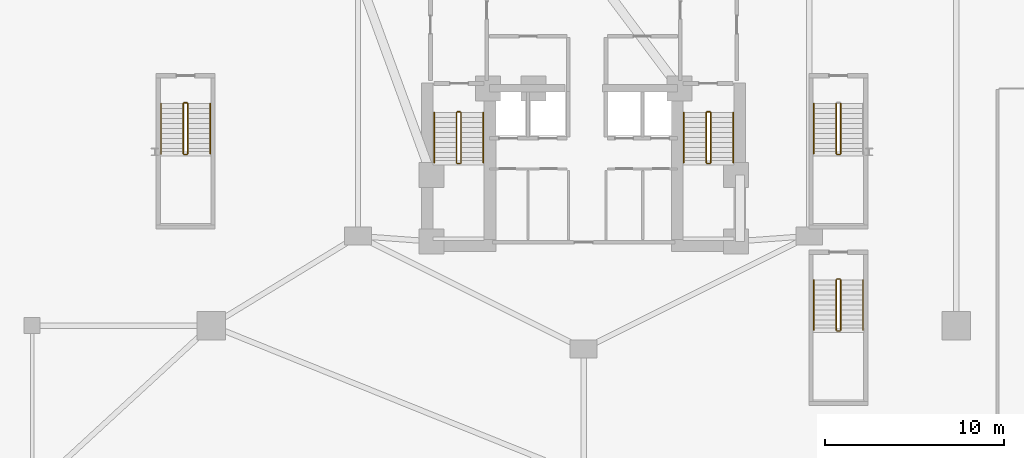
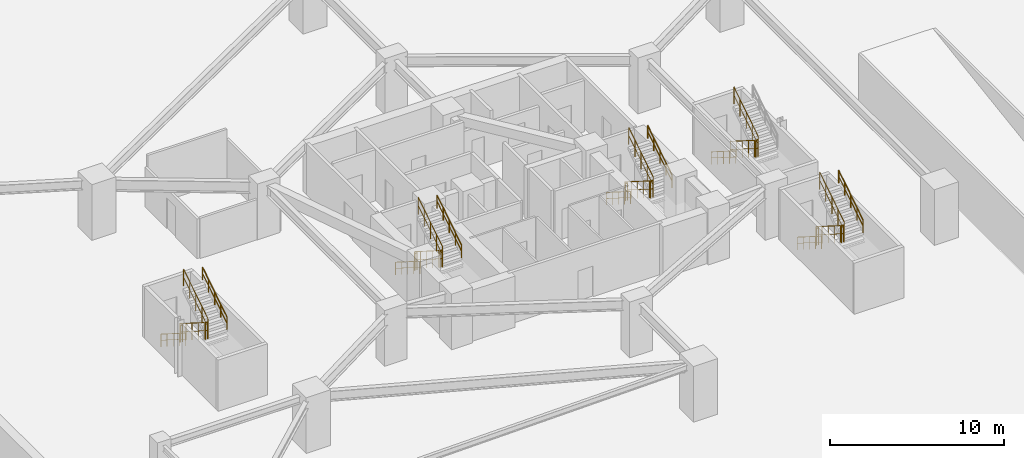
# One storey, part 11 of 12: 28 railings.
"""IFC4 building model written with IfcOpenShell, lengths in metres."""

from ifc_helpers import new_model, si_unit, direction, frame, origin, origin_2d, place, context, subcontext, project, spatial, circle, extrude, material, type_object, element, save


model = new_model("IFC4")

# Units and contexts
model_context = context("Model", 3, precision=1e-05, world=origin(), true_north=direction((0.0, 1.0)))
body_context = subcontext(model_context, "Body", "Model", "MODEL_VIEW")
ifc_project = project(units=[si_unit("LENGTHUNIT", "METRE"), si_unit("AREAUNIT", "SQUARE_METRE"), si_unit("VOLUMEUNIT", "CUBIC_METRE"), si_unit("PLANEANGLEUNIT", "RADIAN"), si_unit("MASSUNIT", "GRAM", prefix="KILO")], contexts=[model_context])

# Site, building, storey
site_placement = place(None, origin())
site = spatial("IfcSite", under=ifc_project, at=site_placement, CompositionType="ELEMENT")
building_placement = place(site_placement, origin())
building = spatial("IfcBuilding", under=site, at=building_placement, Name="Miruveldt Soraemaru", CompositionType="ELEMENT")
storey_placement = place(building_placement, frame((0.0, 0.0, -7.800048828125)))
storey = spatial("IfcBuildingStorey", under=building, at=storey_placement, Name="B2", CompositionType="ELEMENT", Elevation=-7.800048828125)

# Railings
ifc_material = material(Name="Steel S355 (355 MPa)", Category="steel")
railing_type_1 = type_object("IfcRailingType", Name="RAIL-HR-900", PredefinedType="HANDRAIL", material=ifc_material)
railing_1_placement = place(storey_placement, frame((35.64990234375, 42.699951171875, 0.17724609375)))
element("IfcRailing", 1, at=railing_1_placement, inside=storey, type_object=railing_type_1, Name="B2 ST-1 stair handrail 1", PredefinedType="HANDRAIL", context=body_context, shape_type="SweptSolid", body=[
    extrude(circle(Radius=0.02392578125, at=origin_2d()), frame((0.0, 0.0, 0.8759765625), z_axis=(0.0, -0.844908973607, 0.534910110503), x_axis=(1.0, 0.0, 0.0)), (0.0, 0.0, 1.0), 3.31396484375),
    extrude(circle(Radius=0.01611328125, at=origin_2d()), frame((0.0, 0.0, 0.449951171875), z_axis=(0.0, -0.844908973607, 0.534910110503), x_axis=(1.0, 0.0, 0.0)), (0.0, 0.0, 1.0), 3.31396484375),
    extrude(circle(Radius=0.02099609375, at=origin_2d()), origin(), (0.0, 0.0, 1.0), 0.851806640625),
    extrude(circle(Radius=0.02099609375, at=origin_2d()), frame((0.0, -0.699951171875, 0.443115234375)), (0.0, 0.0, 1.0), 0.851806640625),
    extrude(circle(Radius=0.02099609375, at=origin_2d()), frame((0.0, -1.39990234375, 0.88623046875)), (0.0, 0.0, 1.0), 0.851806640625),
    extrude(circle(Radius=0.02099609375, at=origin_2d()), frame((0.0, -2.10009765625, 1.32958984375)), (0.0, 0.0, 1.0), 0.851806640625),
    extrude(circle(Radius=0.02099609375, at=origin_2d()), frame((0.0, -2.800048828125, 1.772705078125)), (0.0, 0.0, 1.0), 0.851806640625),
])
railing_2_placement = place(storey_placement, frame((38.39990234375, 39.89990234375, 2.12744140625)))
element("IfcRailing", 2, at=railing_2_placement, inside=storey, type_object=railing_type_1, Name="B2 ST-1 stair handrail 2", PredefinedType="HANDRAIL", context=body_context, shape_type="SweptSolid", body=[
    extrude(circle(Radius=0.02392578125, at=origin_2d()), frame((0.0, 0.0, 0.8759765625), z_axis=(0.0, 0.844908973607, 0.534910110503), x_axis=(-1.0, 0.0, 0.0)), (0.0, 0.0, 1.0), 3.31396484375),
    extrude(circle(Radius=0.01611328125, at=origin_2d()), frame((0.0, 0.0, 0.449951171875), z_axis=(0.0, 0.844908973607, 0.534910110503), x_axis=(-1.0, 0.0, 0.0)), (0.0, 0.0, 1.0), 3.31396484375),
    extrude(circle(Radius=0.02099609375, at=origin_2d()), origin(), (0.0, 0.0, 1.0), 0.851806640625),
    extrude(circle(Radius=0.02099609375, at=origin_2d()), frame((0.0, 0.699951171875, 0.443115234375)), (0.0, 0.0, 1.0), 0.851806640625),
    extrude(circle(Radius=0.02099609375, at=origin_2d()), frame((0.0, 1.39990234375, 0.88623046875)), (0.0, 0.0, 1.0), 0.851806640625),
    extrude(circle(Radius=0.02099609375, at=origin_2d()), frame((0.0, 2.10009765625, 1.32958984375)), (0.0, 0.0, 1.0), 0.851806640625),
    extrude(circle(Radius=0.02099609375, at=origin_2d()), frame((0.0, 2.800048828125, 1.772705078125)), (0.0, 0.0, 1.0), 0.851806640625),
])
railing_3_placement = place(storey_placement, frame((49.60009765625, 42.699951171875, 0.17724609375)))
element("IfcRailing", 3, at=railing_3_placement, inside=storey, type_object=railing_type_1, Name="B2 ST-2 stair handrail 1", PredefinedType="HANDRAIL", context=body_context, shape_type="SweptSolid", body=[
    extrude(circle(Radius=0.02392578125, at=origin_2d()), frame((0.0, 0.0, 0.8759765625), z_axis=(0.0, -0.844908973607, 0.534910110503), x_axis=(1.0, 0.0, 0.0)), (0.0, 0.0, 1.0), 3.31396484375),
    extrude(circle(Radius=0.01611328125, at=origin_2d()), frame((0.0, 0.0, 0.449951171875), z_axis=(0.0, -0.844908973607, 0.534910110503), x_axis=(1.0, 0.0, 0.0)), (0.0, 0.0, 1.0), 3.31396484375),
    extrude(circle(Radius=0.02099609375, at=origin_2d()), origin(), (0.0, 0.0, 1.0), 0.851806640625),
    extrude(circle(Radius=0.02099609375, at=origin_2d()), frame((0.0, -0.699951171875, 0.443115234375)), (0.0, 0.0, 1.0), 0.851806640625),
    extrude(circle(Radius=0.02099609375, at=origin_2d()), frame((0.0, -1.39990234375, 0.88623046875)), (0.0, 0.0, 1.0), 0.851806640625),
    extrude(circle(Radius=0.02099609375, at=origin_2d()), frame((0.0, -2.10009765625, 1.32958984375)), (0.0, 0.0, 1.0), 0.851806640625),
    extrude(circle(Radius=0.02099609375, at=origin_2d()), frame((0.0, -2.800048828125, 1.772705078125)), (0.0, 0.0, 1.0), 0.851806640625),
])
railing_4_placement = place(storey_placement, frame((52.35009765625, 39.89990234375, 2.12744140625)))
element("IfcRailing", 4, at=railing_4_placement, inside=storey, type_object=railing_type_1, Name="B2 ST-2 stair handrail 2", PredefinedType="HANDRAIL", context=body_context, shape_type="SweptSolid", body=[
    extrude(circle(Radius=0.02392578125, at=origin_2d()), frame((0.0, 0.0, 0.8759765625), z_axis=(0.0, 0.844908973607, 0.534910110503), x_axis=(-1.0, 0.0, 0.0)), (0.0, 0.0, 1.0), 3.31396484375),
    extrude(circle(Radius=0.01611328125, at=origin_2d()), frame((0.0, 0.0, 0.449951171875), z_axis=(0.0, 0.844908973607, 0.534910110503), x_axis=(-1.0, 0.0, 0.0)), (0.0, 0.0, 1.0), 3.31396484375),
    extrude(circle(Radius=0.02099609375, at=origin_2d()), origin(), (0.0, 0.0, 1.0), 0.851806640625),
    extrude(circle(Radius=0.02099609375, at=origin_2d()), frame((0.0, 0.699951171875, 0.443115234375)), (0.0, 0.0, 1.0), 0.851806640625),
    extrude(circle(Radius=0.02099609375, at=origin_2d()), frame((0.0, 1.39990234375, 0.88623046875)), (0.0, 0.0, 1.0), 0.851806640625),
    extrude(circle(Radius=0.02099609375, at=origin_2d()), frame((0.0, 2.10009765625, 1.32958984375)), (0.0, 0.0, 1.0), 0.851806640625),
    extrude(circle(Radius=0.02099609375, at=origin_2d()), frame((0.0, 2.800048828125, 1.772705078125)), (0.0, 0.0, 1.0), 0.851806640625),
])
railing_5_placement = place(storey_placement, frame((20.39990234375, 43.199951171875, 0.17724609375)))
element("IfcRailing", 5, at=railing_5_placement, inside=storey, type_object=railing_type_1, Name="B2 ST-3 stair handrail 1", PredefinedType="HANDRAIL", context=body_context, shape_type="SweptSolid", body=[
    extrude(circle(Radius=0.02392578125, at=origin_2d()), frame((0.0, 0.0, 0.8759765625), z_axis=(0.0, -0.844908973607, 0.534910110503), x_axis=(1.0, 0.0, 0.0)), (0.0, 0.0, 1.0), 3.31396484375),
    extrude(circle(Radius=0.01611328125, at=origin_2d()), frame((0.0, 0.0, 0.449951171875), z_axis=(0.0, -0.844908973607, 0.534910110503), x_axis=(1.0, 0.0, 0.0)), (0.0, 0.0, 1.0), 3.31396484375),
    extrude(circle(Radius=0.02099609375, at=origin_2d()), origin(), (0.0, 0.0, 1.0), 0.851806640625),
    extrude(circle(Radius=0.02099609375, at=origin_2d()), frame((0.0, -0.699951171875, 0.443115234375)), (0.0, 0.0, 1.0), 0.851806640625),
    extrude(circle(Radius=0.02099609375, at=origin_2d()), frame((0.0, -1.39990234375, 0.88623046875)), (0.0, 0.0, 1.0), 0.851806640625),
    extrude(circle(Radius=0.02099609375, at=origin_2d()), frame((0.0, -2.10009765625, 1.32958984375)), (0.0, 0.0, 1.0), 0.851806640625),
    extrude(circle(Radius=0.02099609375, at=origin_2d()), frame((0.0, -2.800048828125, 1.772705078125)), (0.0, 0.0, 1.0), 0.851806640625),
])
railing_6_placement = place(storey_placement, frame((23.14990234375, 40.39990234375, 2.12744140625)))
element("IfcRailing", 6, at=railing_6_placement, inside=storey, type_object=railing_type_1, Name="B2 ST-3 stair handrail 2", PredefinedType="HANDRAIL", context=body_context, shape_type="SweptSolid", body=[
    extrude(circle(Radius=0.02392578125, at=origin_2d()), frame((0.0, 0.0, 0.8759765625), z_axis=(0.0, 0.844908973607, 0.534910110503), x_axis=(-1.0, 0.0, 0.0)), (0.0, 0.0, 1.0), 3.31396484375),
    extrude(circle(Radius=0.01611328125, at=origin_2d()), frame((0.0, 0.0, 0.449951171875), z_axis=(0.0, 0.844908973607, 0.534910110503), x_axis=(-1.0, 0.0, 0.0)), (0.0, 0.0, 1.0), 3.31396484375),
    extrude(circle(Radius=0.02099609375, at=origin_2d()), origin(), (0.0, 0.0, 1.0), 0.851806640625),
    extrude(circle(Radius=0.02099609375, at=origin_2d()), frame((0.0, 0.699951171875, 0.443115234375)), (0.0, 0.0, 1.0), 0.851806640625),
    extrude(circle(Radius=0.02099609375, at=origin_2d()), frame((0.0, 1.39990234375, 0.88623046875)), (0.0, 0.0, 1.0), 0.851806640625),
    extrude(circle(Radius=0.02099609375, at=origin_2d()), frame((0.0, 2.10009765625, 1.32958984375)), (0.0, 0.0, 1.0), 0.851806640625),
    extrude(circle(Radius=0.02099609375, at=origin_2d()), frame((0.0, 2.800048828125, 1.772705078125)), (0.0, 0.0, 1.0), 0.851806640625),
])
for number, where, name in (
    (7, (56.85009765625, 43.199951171875, 0.17724609375), "B2 ST-4 stair handrail 1"),
    (8, (56.85009765625, 33.35009765625, 0.17724609375), "B2 ST-5 stair handrail 1"),
):
    element("IfcRailing", number, at=place(storey_placement, frame(where)), inside=storey, type_object=railing_type_1, Name=name, PredefinedType="HANDRAIL", context=body_context, shape_type="SweptSolid", body=[
        extrude(circle(Radius=0.02392578125, at=origin_2d()), frame((0.0, 0.0, 0.8759765625), z_axis=(0.0, -0.844908973607, 0.534910110503), x_axis=(1.0, 0.0, 0.0)), (0.0, 0.0, 1.0), 3.31396484375),
        extrude(circle(Radius=0.01611328125, at=origin_2d()), frame((0.0, 0.0, 0.449951171875), z_axis=(0.0, -0.844908973607, 0.534910110503), x_axis=(1.0, 0.0, 0.0)), (0.0, 0.0, 1.0), 3.31396484375),
        extrude(circle(Radius=0.02099609375, at=origin_2d()), origin(), (0.0, 0.0, 1.0), 0.851806640625),
        extrude(circle(Radius=0.02099609375, at=origin_2d()), frame((0.0, -0.699951171875, 0.443115234375)), (0.0, 0.0, 1.0), 0.851806640625),
        extrude(circle(Radius=0.02099609375, at=origin_2d()), frame((0.0, -1.39990234375, 0.88623046875)), (0.0, 0.0, 1.0), 0.851806640625),
        extrude(circle(Radius=0.02099609375, at=origin_2d()), frame((0.0, -2.10009765625, 1.32958984375)), (0.0, 0.0, 1.0), 0.851806640625),
        extrude(circle(Radius=0.02099609375, at=origin_2d()), frame((0.0, -2.800048828125, 1.772705078125)), (0.0, 0.0, 1.0), 0.851806640625),
    ])
railing_7_placement = place(storey_placement, frame((59.60009765625, 30.550048828125, 2.12744140625)))
element("IfcRailing", 9, at=railing_7_placement, inside=storey, type_object=railing_type_1, Name="B2 ST-5 stair handrail 2", PredefinedType="HANDRAIL", context=body_context, shape_type="SweptSolid", body=[
    extrude(circle(Radius=0.02392578125, at=origin_2d()), frame((0.0, 0.0, 0.8759765625), z_axis=(0.0, 0.844908973607, 0.534910110503), x_axis=(-1.0, 0.0, 0.0)), (0.0, 0.0, 1.0), 3.31396484375),
    extrude(circle(Radius=0.01611328125, at=origin_2d()), frame((0.0, 0.0, 0.449951171875), z_axis=(0.0, 0.844908973607, 0.534910110503), x_axis=(-1.0, 0.0, 0.0)), (0.0, 0.0, 1.0), 3.31396484375),
    extrude(circle(Radius=0.02099609375, at=origin_2d()), origin(), (0.0, 0.0, 1.0), 0.851806640625),
    extrude(circle(Radius=0.02099609375, at=origin_2d()), frame((0.0, 0.699951171875, 0.443115234375)), (0.0, 0.0, 1.0), 0.851806640625),
    extrude(circle(Radius=0.02099609375, at=origin_2d()), frame((0.0, 1.39990234375, 0.88623046875)), (0.0, 0.0, 1.0), 0.851806640625),
    extrude(circle(Radius=0.02099609375, at=origin_2d()), frame((0.0, 2.10009765625, 1.32958984375)), (0.0, 0.0, 1.0), 0.851806640625),
    extrude(circle(Radius=0.02099609375, at=origin_2d()), frame((0.0, 2.800048828125, 1.772705078125)), (0.0, 0.0, 1.0), 0.851806640625),
])
railing_type_2 = type_object("IfcRailingType", Name="RAIL-STGUARD-1200", PredefinedType="GUARDRAIL", material=ifc_material)
railing_8_placement = place(storey_placement, frame((36.89990234375, 42.699951171875, 0.17724609375)))
element("IfcRailing", 10, at=railing_8_placement, inside=storey, type_object=railing_type_2, Name="B2 ST-1 stair guard 1", PredefinedType="GUARDRAIL", context=body_context, shape_type="SweptSolid", body=[
    extrude(circle(Radius=0.02392578125, at=origin_2d()), frame((0.0, 0.0, 1.17578125), z_axis=(0.0, -0.844908973607, 0.534910110503), x_axis=(1.0, 0.0, 0.0)), (0.0, 0.0, 1.0), 3.31396484375),
    extrude(circle(Radius=0.01611328125, at=origin_2d()), frame((0.0, 0.0, 0.60009765625), z_axis=(0.0, -0.844908973607, 0.534910110503), x_axis=(1.0, 0.0, 0.0)), (0.0, 0.0, 1.0), 3.31396484375),
    extrude(circle(Radius=0.02099609375, at=origin_2d()), origin(), (0.0, 0.0, 1.0), 1.15185546875),
    extrude(circle(Radius=0.02099609375, at=origin_2d()), frame((0.0, -0.699951171875, 0.443115234375)), (0.0, 0.0, 1.0), 1.15185546875),
    extrude(circle(Radius=0.02099609375, at=origin_2d()), frame((0.0, -1.39990234375, 0.88623046875)), (0.0, 0.0, 1.0), 1.15185546875),
    extrude(circle(Radius=0.02099609375, at=origin_2d()), frame((0.0, -2.10009765625, 1.32958984375)), (0.0, 0.0, 1.0), 1.15185546875),
    extrude(circle(Radius=0.02099609375, at=origin_2d()), frame((0.0, -2.800048828125, 1.772705078125)), (0.0, 0.0, 1.0), 1.15185546875),
])
railing_9_placement = place(storey_placement, frame((36.949951171875, 39.85009765625, 1.949951171875)))
element("IfcRailing", 11, at=railing_9_placement, inside=storey, type_object=railing_type_2, Name="B2 ST-1 stair guard 2", PredefinedType="GUARDRAIL", context=body_context, shape_type="SweptSolid", body=[
    extrude(circle(Radius=0.02392578125, at=origin_2d()), frame((0.0, 0.0, 1.17578125), z_axis=(1.0, 0.0, 0.0), x_axis=(0.0, 1.0, 0.0)), (0.0, 0.0, 1.0), 0.150146484375),
    extrude(circle(Radius=0.01611328125, at=origin_2d()), frame((0.0, 0.0, 0.60009765625), z_axis=(1.0, 0.0, 0.0), x_axis=(0.0, 1.0, 0.0)), (0.0, 0.0, 1.0), 0.150146484375),
    extrude(circle(Radius=0.02099609375, at=origin_2d()), origin(), (0.0, 0.0, 1.0), 1.15185546875),
    extrude(circle(Radius=0.02099609375, at=origin_2d()), frame((0.150146484375, 0.0, 0.0)), (0.0, 0.0, 1.0), 1.15185546875),
])
railing_10_placement = place(storey_placement, frame((37.14990234375, 39.89990234375, 2.12744140625)))
element("IfcRailing", 12, at=railing_10_placement, inside=storey, type_object=railing_type_2, Name="B2 ST-1 stair guard 3", PredefinedType="GUARDRAIL", context=body_context, shape_type="SweptSolid", body=[
    extrude(circle(Radius=0.02392578125, at=origin_2d()), frame((0.0, 0.0, 1.17578125), z_axis=(0.0, 0.844908973607, 0.534910110503), x_axis=(-1.0, 0.0, 0.0)), (0.0, 0.0, 1.0), 3.31396484375),
    extrude(circle(Radius=0.01611328125, at=origin_2d()), frame((0.0, 0.0, 0.60009765625), z_axis=(0.0, 0.844908973607, 0.534910110503), x_axis=(-1.0, 0.0, 0.0)), (0.0, 0.0, 1.0), 3.31396484375),
    extrude(circle(Radius=0.02099609375, at=origin_2d()), origin(), (0.0, 0.0, 1.0), 1.15185546875),
    extrude(circle(Radius=0.02099609375, at=origin_2d()), frame((0.0, 0.699951171875, 0.443115234375)), (0.0, 0.0, 1.0), 1.15185546875),
    extrude(circle(Radius=0.02099609375, at=origin_2d()), frame((0.0, 1.39990234375, 0.88623046875)), (0.0, 0.0, 1.0), 1.15185546875),
    extrude(circle(Radius=0.02099609375, at=origin_2d()), frame((0.0, 2.10009765625, 1.32958984375)), (0.0, 0.0, 1.0), 1.15185546875),
    extrude(circle(Radius=0.02099609375, at=origin_2d()), frame((0.0, 2.800048828125, 1.772705078125)), (0.0, 0.0, 1.0), 1.15185546875),
])
railing_11_placement = place(storey_placement, frame((36.949951171875, 42.75, 0.0)))
element("IfcRailing", 13, at=railing_11_placement, inside=storey, type_object=railing_type_2, Name="B2 ST-1 stair guard 4", PredefinedType="GUARDRAIL", context=body_context, shape_type="SweptSolid", body=[
    extrude(circle(Radius=0.02392578125, at=origin_2d()), frame((0.0, 0.0, 1.17578125), z_axis=(1.0, 0.0, 0.0), x_axis=(0.0, 1.0, 0.0)), (0.0, 0.0, 1.0), 0.150146484375),
    extrude(circle(Radius=0.01611328125, at=origin_2d()), frame((0.0, 0.0, 0.60009765625), z_axis=(1.0, 0.0, 0.0), x_axis=(0.0, 1.0, 0.0)), (0.0, 0.0, 1.0), 0.150146484375),
    extrude(circle(Radius=0.02099609375, at=origin_2d()), origin(), (0.0, 0.0, 1.0), 1.15185546875),
    extrude(circle(Radius=0.02099609375, at=origin_2d()), frame((0.150146484375, 0.0, 0.0)), (0.0, 0.0, 1.0), 1.15185546875),
])
railing_12_placement = place(storey_placement, frame((50.85009765625, 42.699951171875, 0.17724609375)))
element("IfcRailing", 14, at=railing_12_placement, inside=storey, type_object=railing_type_2, Name="B2 ST-2 stair guard 1", PredefinedType="GUARDRAIL", context=body_context, shape_type="SweptSolid", body=[
    extrude(circle(Radius=0.02392578125, at=origin_2d()), frame((0.0, 0.0, 1.17578125), z_axis=(0.0, -0.844908973607, 0.534910110503), x_axis=(1.0, 0.0, 0.0)), (0.0, 0.0, 1.0), 3.31396484375),
    extrude(circle(Radius=0.01611328125, at=origin_2d()), frame((0.0, 0.0, 0.60009765625), z_axis=(0.0, -0.844908973607, 0.534910110503), x_axis=(1.0, 0.0, 0.0)), (0.0, 0.0, 1.0), 3.31396484375),
    extrude(circle(Radius=0.02099609375, at=origin_2d()), origin(), (0.0, 0.0, 1.0), 1.15185546875),
    extrude(circle(Radius=0.02099609375, at=origin_2d()), frame((0.0, -0.699951171875, 0.443115234375)), (0.0, 0.0, 1.0), 1.15185546875),
    extrude(circle(Radius=0.02099609375, at=origin_2d()), frame((0.0, -1.39990234375, 0.88623046875)), (0.0, 0.0, 1.0), 1.15185546875),
    extrude(circle(Radius=0.02099609375, at=origin_2d()), frame((0.0, -2.10009765625, 1.32958984375)), (0.0, 0.0, 1.0), 1.15185546875),
    extrude(circle(Radius=0.02099609375, at=origin_2d()), frame((0.0, -2.800048828125, 1.772705078125)), (0.0, 0.0, 1.0), 1.15185546875),
])
railing_13_placement = place(storey_placement, frame((50.89990234375, 39.85009765625, 1.949951171875)))
element("IfcRailing", 15, at=railing_13_placement, inside=storey, type_object=railing_type_2, Name="B2 ST-2 stair guard 2", PredefinedType="GUARDRAIL", context=body_context, shape_type="SweptSolid", body=[
    extrude(circle(Radius=0.02392578125, at=origin_2d()), frame((0.0, 0.0, 1.17578125), z_axis=(1.0, 0.0, 0.0), x_axis=(0.0, 1.0, 0.0)), (0.0, 0.0, 1.0), 0.150146484375),
    extrude(circle(Radius=0.01611328125, at=origin_2d()), frame((0.0, 0.0, 0.60009765625), z_axis=(1.0, 0.0, 0.0), x_axis=(0.0, 1.0, 0.0)), (0.0, 0.0, 1.0), 0.150146484375),
    extrude(circle(Radius=0.02099609375, at=origin_2d()), origin(), (0.0, 0.0, 1.0), 1.15185546875),
    extrude(circle(Radius=0.02099609375, at=origin_2d()), frame((0.150146484375, 0.0, 0.0)), (0.0, 0.0, 1.0), 1.15185546875),
])
railing_14_placement = place(storey_placement, frame((51.10009765625, 39.89990234375, 2.12744140625)))
element("IfcRailing", 16, at=railing_14_placement, inside=storey, type_object=railing_type_2, Name="B2 ST-2 stair guard 3", PredefinedType="GUARDRAIL", context=body_context, shape_type="SweptSolid", body=[
    extrude(circle(Radius=0.02392578125, at=origin_2d()), frame((0.0, 0.0, 1.17578125), z_axis=(0.0, 0.844908973607, 0.534910110503), x_axis=(-1.0, 0.0, 0.0)), (0.0, 0.0, 1.0), 3.31396484375),
    extrude(circle(Radius=0.01611328125, at=origin_2d()), frame((0.0, 0.0, 0.60009765625), z_axis=(0.0, 0.844908973607, 0.534910110503), x_axis=(-1.0, 0.0, 0.0)), (0.0, 0.0, 1.0), 3.31396484375),
    extrude(circle(Radius=0.02099609375, at=origin_2d()), origin(), (0.0, 0.0, 1.0), 1.15185546875),
    extrude(circle(Radius=0.02099609375, at=origin_2d()), frame((0.0, 0.699951171875, 0.443115234375)), (0.0, 0.0, 1.0), 1.15185546875),
    extrude(circle(Radius=0.02099609375, at=origin_2d()), frame((0.0, 1.39990234375, 0.88623046875)), (0.0, 0.0, 1.0), 1.15185546875),
    extrude(circle(Radius=0.02099609375, at=origin_2d()), frame((0.0, 2.10009765625, 1.32958984375)), (0.0, 0.0, 1.0), 1.15185546875),
    extrude(circle(Radius=0.02099609375, at=origin_2d()), frame((0.0, 2.800048828125, 1.772705078125)), (0.0, 0.0, 1.0), 1.15185546875),
])
railing_15_placement = place(storey_placement, frame((50.89990234375, 42.75, 0.0)))
element("IfcRailing", 17, at=railing_15_placement, inside=storey, type_object=railing_type_2, Name="B2 ST-2 stair guard 4", PredefinedType="GUARDRAIL", context=body_context, shape_type="SweptSolid", body=[
    extrude(circle(Radius=0.02392578125, at=origin_2d()), frame((0.0, 0.0, 1.17578125), z_axis=(1.0, 0.0, 0.0), x_axis=(0.0, 1.0, 0.0)), (0.0, 0.0, 1.0), 0.150146484375),
    extrude(circle(Radius=0.01611328125, at=origin_2d()), frame((0.0, 0.0, 0.60009765625), z_axis=(1.0, 0.0, 0.0), x_axis=(0.0, 1.0, 0.0)), (0.0, 0.0, 1.0), 0.150146484375),
    extrude(circle(Radius=0.02099609375, at=origin_2d()), origin(), (0.0, 0.0, 1.0), 1.15185546875),
    extrude(circle(Radius=0.02099609375, at=origin_2d()), frame((0.150146484375, 0.0, 0.0)), (0.0, 0.0, 1.0), 1.15185546875),
])
railing_16_placement = place(storey_placement, frame((21.64990234375, 43.199951171875, 0.17724609375)))
element("IfcRailing", 18, at=railing_16_placement, inside=storey, type_object=railing_type_2, Name="B2 ST-3 stair guard 1", PredefinedType="GUARDRAIL", context=body_context, shape_type="SweptSolid", body=[
    extrude(circle(Radius=0.02392578125, at=origin_2d()), frame((0.0, 0.0, 1.17578125), z_axis=(0.0, -0.844908973607, 0.534910110503), x_axis=(1.0, 0.0, 0.0)), (0.0, 0.0, 1.0), 3.31396484375),
    extrude(circle(Radius=0.01611328125, at=origin_2d()), frame((0.0, 0.0, 0.60009765625), z_axis=(0.0, -0.844908973607, 0.534910110503), x_axis=(1.0, 0.0, 0.0)), (0.0, 0.0, 1.0), 3.31396484375),
    extrude(circle(Radius=0.02099609375, at=origin_2d()), origin(), (0.0, 0.0, 1.0), 1.15185546875),
    extrude(circle(Radius=0.02099609375, at=origin_2d()), frame((0.0, -0.699951171875, 0.443115234375)), (0.0, 0.0, 1.0), 1.15185546875),
    extrude(circle(Radius=0.02099609375, at=origin_2d()), frame((0.0, -1.39990234375, 0.88623046875)), (0.0, 0.0, 1.0), 1.15185546875),
    extrude(circle(Radius=0.02099609375, at=origin_2d()), frame((0.0, -2.10009765625, 1.32958984375)), (0.0, 0.0, 1.0), 1.15185546875),
    extrude(circle(Radius=0.02099609375, at=origin_2d()), frame((0.0, -2.800048828125, 1.772705078125)), (0.0, 0.0, 1.0), 1.15185546875),
])
railing_17_placement = place(storey_placement, frame((21.699951171875, 40.35009765625, 1.949951171875)))
element("IfcRailing", 19, at=railing_17_placement, inside=storey, type_object=railing_type_2, Name="B2 ST-3 stair guard 2", PredefinedType="GUARDRAIL", context=body_context, shape_type="SweptSolid", body=[
    extrude(circle(Radius=0.02392578125, at=origin_2d()), frame((0.0, 0.0, 1.17578125), z_axis=(1.0, 0.0, 0.0), x_axis=(0.0, 1.0, 0.0)), (0.0, 0.0, 1.0), 0.150146484375),
    extrude(circle(Radius=0.01611328125, at=origin_2d()), frame((0.0, 0.0, 0.60009765625), z_axis=(1.0, 0.0, 0.0), x_axis=(0.0, 1.0, 0.0)), (0.0, 0.0, 1.0), 0.150146484375),
    extrude(circle(Radius=0.02099609375, at=origin_2d()), origin(), (0.0, 0.0, 1.0), 1.15185546875),
    extrude(circle(Radius=0.02099609375, at=origin_2d()), frame((0.150146484375, 0.0, 0.0)), (0.0, 0.0, 1.0), 1.15185546875),
])
railing_18_placement = place(storey_placement, frame((21.89990234375, 40.39990234375, 2.12744140625)))
element("IfcRailing", 20, at=railing_18_placement, inside=storey, type_object=railing_type_2, Name="B2 ST-3 stair guard 3", PredefinedType="GUARDRAIL", context=body_context, shape_type="SweptSolid", body=[
    extrude(circle(Radius=0.02392578125, at=origin_2d()), frame((0.0, 0.0, 1.17578125), z_axis=(0.0, 0.844908973607, 0.534910110503), x_axis=(-1.0, 0.0, 0.0)), (0.0, 0.0, 1.0), 3.31396484375),
    extrude(circle(Radius=0.01611328125, at=origin_2d()), frame((0.0, 0.0, 0.60009765625), z_axis=(0.0, 0.844908973607, 0.534910110503), x_axis=(-1.0, 0.0, 0.0)), (0.0, 0.0, 1.0), 3.31396484375),
    extrude(circle(Radius=0.02099609375, at=origin_2d()), origin(), (0.0, 0.0, 1.0), 1.15185546875),
    extrude(circle(Radius=0.02099609375, at=origin_2d()), frame((0.0, 0.699951171875, 0.443115234375)), (0.0, 0.0, 1.0), 1.15185546875),
    extrude(circle(Radius=0.02099609375, at=origin_2d()), frame((0.0, 1.39990234375, 0.88623046875)), (0.0, 0.0, 1.0), 1.15185546875),
    extrude(circle(Radius=0.02099609375, at=origin_2d()), frame((0.0, 2.10009765625, 1.32958984375)), (0.0, 0.0, 1.0), 1.15185546875),
    extrude(circle(Radius=0.02099609375, at=origin_2d()), frame((0.0, 2.800048828125, 1.772705078125)), (0.0, 0.0, 1.0), 1.15185546875),
])
railing_19_placement = place(storey_placement, frame((21.699951171875, 43.25, 0.0)))
element("IfcRailing", 21, at=railing_19_placement, inside=storey, type_object=railing_type_2, Name="B2 ST-3 stair guard 4", PredefinedType="GUARDRAIL", context=body_context, shape_type="SweptSolid", body=[
    extrude(circle(Radius=0.02392578125, at=origin_2d()), frame((0.0, 0.0, 1.17578125), z_axis=(1.0, 0.0, 0.0), x_axis=(0.0, 1.0, 0.0)), (0.0, 0.0, 1.0), 0.150146484375),
    extrude(circle(Radius=0.01611328125, at=origin_2d()), frame((0.0, 0.0, 0.60009765625), z_axis=(1.0, 0.0, 0.0), x_axis=(0.0, 1.0, 0.0)), (0.0, 0.0, 1.0), 0.150146484375),
    extrude(circle(Radius=0.02099609375, at=origin_2d()), origin(), (0.0, 0.0, 1.0), 1.15185546875),
    extrude(circle(Radius=0.02099609375, at=origin_2d()), frame((0.150146484375, 0.0, 0.0)), (0.0, 0.0, 1.0), 1.15185546875),
])
railing_20_placement = place(storey_placement, frame((58.10009765625, 43.199951171875, 0.17724609375)))
element("IfcRailing", 22, at=railing_20_placement, inside=storey, type_object=railing_type_2, Name="B2 ST-4 stair guard 1", PredefinedType="GUARDRAIL", context=body_context, shape_type="SweptSolid", body=[
    extrude(circle(Radius=0.02392578125, at=origin_2d()), frame((0.0, 0.0, 1.17578125), z_axis=(0.0, -0.844908973607, 0.534910110503), x_axis=(1.0, 0.0, 0.0)), (0.0, 0.0, 1.0), 3.31396484375),
    extrude(circle(Radius=0.01611328125, at=origin_2d()), frame((0.0, 0.0, 0.60009765625), z_axis=(0.0, -0.844908973607, 0.534910110503), x_axis=(1.0, 0.0, 0.0)), (0.0, 0.0, 1.0), 3.31396484375),
    extrude(circle(Radius=0.02099609375, at=origin_2d()), origin(), (0.0, 0.0, 1.0), 1.15185546875),
    extrude(circle(Radius=0.02099609375, at=origin_2d()), frame((0.0, -0.699951171875, 0.443115234375)), (0.0, 0.0, 1.0), 1.15185546875),
    extrude(circle(Radius=0.02099609375, at=origin_2d()), frame((0.0, -1.39990234375, 0.88623046875)), (0.0, 0.0, 1.0), 1.15185546875),
    extrude(circle(Radius=0.02099609375, at=origin_2d()), frame((0.0, -2.10009765625, 1.32958984375)), (0.0, 0.0, 1.0), 1.15185546875),
    extrude(circle(Radius=0.02099609375, at=origin_2d()), frame((0.0, -2.800048828125, 1.772705078125)), (0.0, 0.0, 1.0), 1.15185546875),
])
railing_21_placement = place(storey_placement, frame((58.14990234375, 40.35009765625, 1.949951171875)))
element("IfcRailing", 23, at=railing_21_placement, inside=storey, type_object=railing_type_2, Name="B2 ST-4 stair guard 2", PredefinedType="GUARDRAIL", context=body_context, shape_type="SweptSolid", body=[
    extrude(circle(Radius=0.02392578125, at=origin_2d()), frame((0.0, 0.0, 1.17578125), z_axis=(1.0, 0.0, 0.0), x_axis=(0.0, 1.0, 0.0)), (0.0, 0.0, 1.0), 0.150146484375),
    extrude(circle(Radius=0.01611328125, at=origin_2d()), frame((0.0, 0.0, 0.60009765625), z_axis=(1.0, 0.0, 0.0), x_axis=(0.0, 1.0, 0.0)), (0.0, 0.0, 1.0), 0.150146484375),
    extrude(circle(Radius=0.02099609375, at=origin_2d()), origin(), (0.0, 0.0, 1.0), 1.15185546875),
    extrude(circle(Radius=0.02099609375, at=origin_2d()), frame((0.150146484375, 0.0, 0.0)), (0.0, 0.0, 1.0), 1.15185546875),
])
railing_22_placement = place(storey_placement, frame((58.35009765625, 40.39990234375, 2.12744140625)))
element("IfcRailing", 24, at=railing_22_placement, inside=storey, type_object=railing_type_2, Name="B2 ST-4 stair guard 3", PredefinedType="GUARDRAIL", context=body_context, shape_type="SweptSolid", body=[
    extrude(circle(Radius=0.02392578125, at=origin_2d()), frame((0.0, 0.0, 1.17578125), z_axis=(0.0, 0.844908973607, 0.534910110503), x_axis=(-1.0, 0.0, 0.0)), (0.0, 0.0, 1.0), 3.31396484375),
    extrude(circle(Radius=0.01611328125, at=origin_2d()), frame((0.0, 0.0, 0.60009765625), z_axis=(0.0, 0.844908973607, 0.534910110503), x_axis=(-1.0, 0.0, 0.0)), (0.0, 0.0, 1.0), 3.31396484375),
    extrude(circle(Radius=0.02099609375, at=origin_2d()), origin(), (0.0, 0.0, 1.0), 1.15185546875),
    extrude(circle(Radius=0.02099609375, at=origin_2d()), frame((0.0, 0.699951171875, 0.443115234375)), (0.0, 0.0, 1.0), 1.15185546875),
    extrude(circle(Radius=0.02099609375, at=origin_2d()), frame((0.0, 1.39990234375, 0.88623046875)), (0.0, 0.0, 1.0), 1.15185546875),
    extrude(circle(Radius=0.02099609375, at=origin_2d()), frame((0.0, 2.10009765625, 1.32958984375)), (0.0, 0.0, 1.0), 1.15185546875),
    extrude(circle(Radius=0.02099609375, at=origin_2d()), frame((0.0, 2.800048828125, 1.772705078125)), (0.0, 0.0, 1.0), 1.15185546875),
])
railing_23_placement = place(storey_placement, frame((58.10009765625, 33.35009765625, 0.17724609375)))
element("IfcRailing", 25, at=railing_23_placement, inside=storey, type_object=railing_type_2, Name="B2 ST-5 stair guard 1", PredefinedType="GUARDRAIL", context=body_context, shape_type="SweptSolid", body=[
    extrude(circle(Radius=0.02392578125, at=origin_2d()), frame((0.0, 0.0, 1.17578125), z_axis=(0.0, -0.844908973607, 0.534910110503), x_axis=(1.0, 0.0, 0.0)), (0.0, 0.0, 1.0), 3.31396484375),
    extrude(circle(Radius=0.01611328125, at=origin_2d()), frame((0.0, 0.0, 0.60009765625), z_axis=(0.0, -0.844908973607, 0.534910110503), x_axis=(1.0, 0.0, 0.0)), (0.0, 0.0, 1.0), 3.31396484375),
    extrude(circle(Radius=0.02099609375, at=origin_2d()), origin(), (0.0, 0.0, 1.0), 1.15185546875),
    extrude(circle(Radius=0.02099609375, at=origin_2d()), frame((0.0, -0.699951171875, 0.443115234375)), (0.0, 0.0, 1.0), 1.15185546875),
    extrude(circle(Radius=0.02099609375, at=origin_2d()), frame((0.0, -1.39990234375, 0.88623046875)), (0.0, 0.0, 1.0), 1.15185546875),
    extrude(circle(Radius=0.02099609375, at=origin_2d()), frame((0.0, -2.10009765625, 1.32958984375)), (0.0, 0.0, 1.0), 1.15185546875),
    extrude(circle(Radius=0.02099609375, at=origin_2d()), frame((0.0, -2.800048828125, 1.772705078125)), (0.0, 0.0, 1.0), 1.15185546875),
])
railing_24_placement = place(storey_placement, frame((58.14990234375, 30.5, 1.949951171875)))
element("IfcRailing", 26, at=railing_24_placement, inside=storey, type_object=railing_type_2, Name="B2 ST-5 stair guard 2", PredefinedType="GUARDRAIL", context=body_context, shape_type="SweptSolid", body=[
    extrude(circle(Radius=0.02392578125, at=origin_2d()), frame((0.0, 0.0, 1.17578125), z_axis=(1.0, 0.0, 0.0), x_axis=(0.0, 1.0, 0.0)), (0.0, 0.0, 1.0), 0.150146484375),
    extrude(circle(Radius=0.01611328125, at=origin_2d()), frame((0.0, 0.0, 0.60009765625), z_axis=(1.0, 0.0, 0.0), x_axis=(0.0, 1.0, 0.0)), (0.0, 0.0, 1.0), 0.150146484375),
    extrude(circle(Radius=0.02099609375, at=origin_2d()), origin(), (0.0, 0.0, 1.0), 1.15185546875),
    extrude(circle(Radius=0.02099609375, at=origin_2d()), frame((0.150146484375, 0.0, 0.0)), (0.0, 0.0, 1.0), 1.15185546875),
])
railing_25_placement = place(storey_placement, frame((58.35009765625, 30.550048828125, 2.12744140625)))
element("IfcRailing", 27, at=railing_25_placement, inside=storey, type_object=railing_type_2, Name="B2 ST-5 stair guard 3", PredefinedType="GUARDRAIL", context=body_context, shape_type="SweptSolid", body=[
    extrude(circle(Radius=0.02392578125, at=origin_2d()), frame((0.0, 0.0, 1.17578125), z_axis=(0.0, 0.844908973607, 0.534910110503), x_axis=(-1.0, 0.0, 0.0)), (0.0, 0.0, 1.0), 3.31396484375),
    extrude(circle(Radius=0.01611328125, at=origin_2d()), frame((0.0, 0.0, 0.60009765625), z_axis=(0.0, 0.844908973607, 0.534910110503), x_axis=(-1.0, 0.0, 0.0)), (0.0, 0.0, 1.0), 3.31396484375),
    extrude(circle(Radius=0.02099609375, at=origin_2d()), origin(), (0.0, 0.0, 1.0), 1.15185546875),
    extrude(circle(Radius=0.02099609375, at=origin_2d()), frame((0.0, 0.699951171875, 0.443115234375)), (0.0, 0.0, 1.0), 1.15185546875),
    extrude(circle(Radius=0.02099609375, at=origin_2d()), frame((0.0, 1.39990234375, 0.88623046875)), (0.0, 0.0, 1.0), 1.15185546875),
    extrude(circle(Radius=0.02099609375, at=origin_2d()), frame((0.0, 2.10009765625, 1.32958984375)), (0.0, 0.0, 1.0), 1.15185546875),
    extrude(circle(Radius=0.02099609375, at=origin_2d()), frame((0.0, 2.800048828125, 1.772705078125)), (0.0, 0.0, 1.0), 1.15185546875),
])
railing_26_placement = place(storey_placement, frame((58.14990234375, 33.39990234375, 0.0)))
element("IfcRailing", 28, at=railing_26_placement, inside=storey, type_object=railing_type_2, Name="B2 ST-5 stair guard 4", PredefinedType="GUARDRAIL", context=body_context, shape_type="SweptSolid", body=[
    extrude(circle(Radius=0.02392578125, at=origin_2d()), frame((0.0, 0.0, 1.17578125), z_axis=(1.0, 0.0, 0.0), x_axis=(0.0, 1.0, 0.0)), (0.0, 0.0, 1.0), 0.150146484375),
    extrude(circle(Radius=0.01611328125, at=origin_2d()), frame((0.0, 0.0, 0.60009765625), z_axis=(1.0, 0.0, 0.0), x_axis=(0.0, 1.0, 0.0)), (0.0, 0.0, 1.0), 0.150146484375),
    extrude(circle(Radius=0.02099609375, at=origin_2d()), origin(), (0.0, 0.0, 1.0), 1.15185546875),
    extrude(circle(Radius=0.02099609375, at=origin_2d()), frame((0.150146484375, 0.0, 0.0)), (0.0, 0.0, 1.0), 1.15185546875),
])

save(model, "model.ifc")
